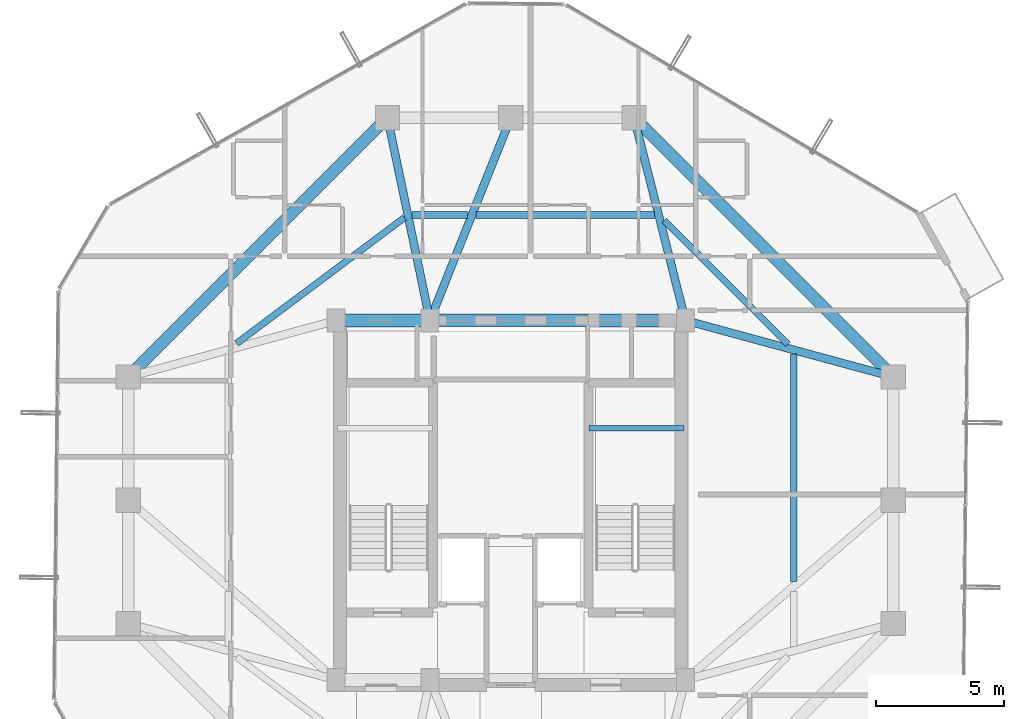
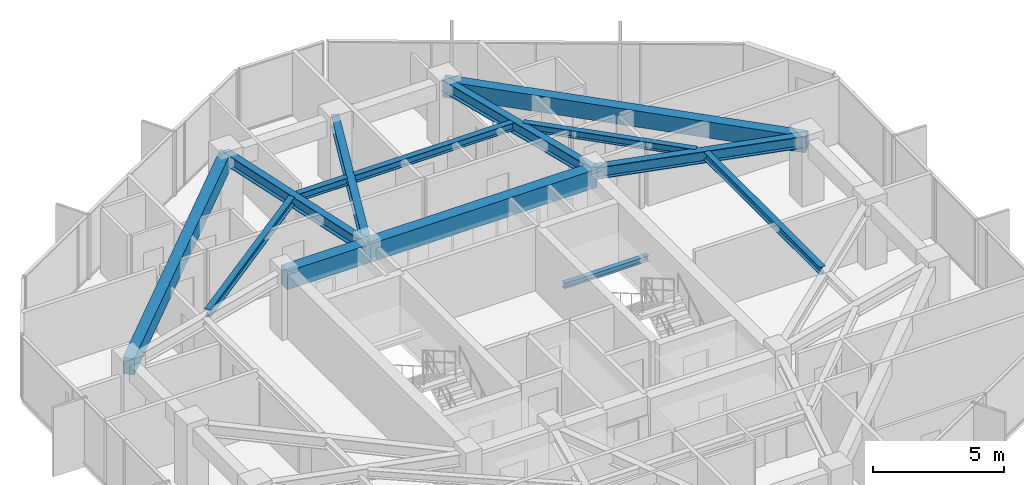
# One storey, part 15 of 30: 14 beams.
"""IFC4 building model written with IfcOpenShell, lengths in metres."""

from ifc_helpers import new_model, si_unit, direction, frame, origin, origin_2d, place, context, subcontext, project, spatial, rectangle, i_section, extrude, material, material_profile, profile_set, type_object, element, save


model = new_model("IFC4")

# Units and contexts
model_context = context("Model", 3, precision=1e-05, world=origin(), true_north=direction((0.0, 1.0)))
body_context = subcontext(model_context, "Body", "Model", "MODEL_VIEW")
ifc_project = project(units=[si_unit("LENGTHUNIT", "METRE"), si_unit("AREAUNIT", "SQUARE_METRE"), si_unit("VOLUMEUNIT", "CUBIC_METRE"), si_unit("PLANEANGLEUNIT", "RADIAN"), si_unit("MASSUNIT", "GRAM", prefix="KILO")], contexts=[model_context])

# Site, building, storey
site_placement = place(None, origin())
site = spatial("IfcSite", under=ifc_project, at=site_placement, CompositionType="ELEMENT")
building_placement = place(site_placement, origin())
building = spatial("IfcBuilding", under=site, at=building_placement, Name="Veraguas Prism Commons", CompositionType="ELEMENT")
storey_placement = place(building_placement, frame((0.0, 0.0, 208.10009765625)))
storey = spatial("IfcBuildingStorey", under=building, at=storey_placement, Name="L59", CompositionType="ELEMENT", Elevation=208.10009765625)

# Beams
ifc_material_1 = material(Name="Concrete C50/60", Category="concrete")
ifc_material_profile_1 = material_profile(ifc_material_1, rectangle(XDim=0.5, YDim=0.85009765625, at=origin_2d()), Name="RC500X850")
ifc_profile_set_1 = profile_set([ifc_material_profile_1], Name="Concrete C50/60")
beam_type_1 = type_object("IfcBeamType", Name="Core Coupling Beam RC 500x850", PredefinedType="BEAM", material=ifc_profile_set_1)
beam_1_placement = place(storey_placement, frame((17.199951171875, 31.0, 2.544921875), z_axis=(1.0, 0.0, 0.0), x_axis=(0.0, 1.0, 0.0)))
element("IfcBeam", 1, at=beam_1_placement, inside=storey, type_object=beam_type_1, Name="Core Coupling Beam L59-CRN1", PredefinedType="BEAM", context=body_context, shape_type="SweptSolid", body=[
    extrude(rectangle(XDim=0.5, YDim=0.85009765625, at=origin_2d()), origin(), (0.0, 0.0, 1.0), 3.650146484375),
])
beam_2_placement = place(storey_placement, frame((20.85009765625, 31.0, 2.544921875), z_axis=(1.0, 0.0, 0.0), x_axis=(0.0, 1.0, 0.0)))
element("IfcBeam", 2, at=beam_2_placement, inside=storey, type_object=beam_type_1, Name="Core Coupling Beam L59-CRN2", PredefinedType="BEAM", context=body_context, shape_type="SweptSolid", body=[
    extrude(rectangle(XDim=0.5, YDim=0.85009765625, at=origin_2d()), origin(), (0.0, 0.0, 1.0), 9.949951171875),
])
ifc_material_profile_2 = material_profile(ifc_material_1, rectangle(XDim=0.449951171875, YDim=0.75, at=origin_2d()), Name="RC450X750")
ifc_profile_set_2 = profile_set([ifc_material_profile_2], Name="Concrete C50/60")
beam_type_2 = type_object("IfcBeamType", Name="Perimeter Spandrel Upper RC 450x750", PredefinedType="SPANDREL", material=ifc_profile_set_2)
for number, where, z_axis, x_axis, name in (
    (3, (38.89990234375, 28.800048828125, 2.594970703125), (-0.707106781187, 0.707106781187, 0.0), (-0.707106781187, -0.707106781187, 0.0), "Perimeter Spandrel Beam L59-SP03"),
    (4, (19.199951171875, 38.89990234375, 2.594970703125), (-0.707106781187, -0.707106781187, 0.0), (0.707106781187, -0.707106781187, 0.0), "Perimeter Spandrel Beam L59-SP06"),
):
    element("IfcBeam", number, at=place(storey_placement, frame(where, z_axis=z_axis, x_axis=x_axis)), inside=storey, type_object=beam_type_2, Name=name, PredefinedType="SPANDREL", context=body_context, shape_type="SweptSolid", body=[
        extrude(rectangle(XDim=0.449951171875, YDim=0.75, at=origin_2d()), origin(), (0.0, 0.0, 1.0), 14.283447265625),
    ])
ifc_material_2 = material(Name="Steel ASTM A992 Grade 50", Category="steel")
ifc_material_profile_3 = material_profile(ifc_material_2, i_section(OverallWidth=0.202880859375, OverallDepth=0.251953125, WebThickness=0.008056640625, FlangeThickness=0.013427734375, at=origin_2d()), Name="W250X58")
ifc_profile_set_3 = profile_set([ifc_material_profile_3], Name="Steel ASTM A992 Grade 50")
beam_type_3 = type_object("IfcBeamType", Name="Structural Opening Lintel W250x58", PredefinedType="LINTEL", material=ifc_profile_set_3)
beam_3_placement = place(storey_placement, frame((27.050048828125, 26.800048828125, 1.298828125), z_axis=(1.0, 0.0, 0.0), x_axis=(0.0, 1.0, 0.0)))
element("IfcBeam", 5, at=beam_3_placement, inside=storey, type_object=beam_type_3, Name="Stair ST-02 Half-Landing Support Beam L59-1", PredefinedType="LINTEL", context=body_context, shape_type="SweptSolid", body=[
    extrude(i_section(OverallWidth=0.202880859375, OverallDepth=0.251953125, WebThickness=0.008056640625, FlangeThickness=0.013427734375, at=origin_2d()), origin(), (0.0, 0.0, 1.0), 3.699951171875),
])
ifc_material_profile_4 = material_profile(ifc_material_2, i_section(OverallWidth=0.25390625, OverallDepth=0.35302734375, WebThickness=0.009521484375, FlangeThickness=0.016357421875, at=origin_2d()), Name="W360X91")
ifc_profile_set_4 = profile_set([ifc_material_profile_4], Name="Steel ASTM A992 Grade 50")
beam_type_4 = type_object("IfcBeamType", Name="Upper Floor Joist W360x91", PredefinedType="JOIST", material=ifc_profile_set_4)
beam_4_placement = place(storey_placement, frame((35.011962890625, 20.843017578125, 2.79345703125), z_axis=(0.0, 1.0, 0.0), x_axis=(-1.0, 0.0, 0.0)))
element("IfcBeam", 6, at=beam_4_placement, inside=storey, type_object=beam_type_4, Name="Composite Floor Joist L59-JS02", PredefinedType="JOIST", context=body_context, shape_type="SweptSolid", body=[
    extrude(i_section(OverallWidth=0.25390625, OverallDepth=0.35302734375, WebThickness=0.009521484375, FlangeThickness=0.016357421875, at=origin_2d()), origin(), (0.0, 0.0, 1.0), 8.85400390625),
])
beam_5_placement = place(storey_placement, frame((34.793701171875, 30.074462890625, 2.79345703125), z_axis=(-0.707124682851, 0.707088879069, 0.0), x_axis=(-0.707088879069, -0.707124682851, 0.0)))
element("IfcBeam", 7, at=beam_5_placement, inside=storey, type_object=beam_type_4, Name="Composite Floor Joist L59-JS03", PredefinedType="JOIST", context=body_context, shape_type="SweptSolid", body=[
    extrude(i_section(OverallWidth=0.25390625, OverallDepth=0.35302734375, WebThickness=0.009521484375, FlangeThickness=0.016357421875, at=origin_2d()), origin(), (0.0, 0.0, 1.0), 6.81884765625),
])
beam_6_placement = place(storey_placement, frame((29.601806640625, 35.10791015625, 2.79345703125), z_axis=(-1.0, 0.0, 0.0), x_axis=(0.0, -1.0, 0.0)))
element("IfcBeam", 8, at=beam_6_placement, inside=storey, type_object=beam_type_4, Name="Composite Floor Joist L59-JS04", PredefinedType="JOIST", context=body_context, shape_type="SweptSolid", body=[
    extrude(i_section(OverallWidth=0.25390625, OverallDepth=0.35302734375, WebThickness=0.009521484375, FlangeThickness=0.016357421875, at=origin_2d()), origin(), (0.0, 0.0, 1.0), 6.948486328125),
])
beam_7_placement = place(storey_placement, frame((22.32275390625, 35.10791015625, 2.79345703125), z_axis=(-1.0, 0.0, 0.0), x_axis=(0.0, -1.0, 0.0)))
element("IfcBeam", 9, at=beam_7_placement, inside=storey, type_object=beam_type_4, Name="Composite Floor Joist L59-JS05", PredefinedType="JOIST", context=body_context, shape_type="SweptSolid", body=[
    extrude(i_section(OverallWidth=0.25390625, OverallDepth=0.35302734375, WebThickness=0.009521484375, FlangeThickness=0.016357421875, at=origin_2d()), origin(), (0.0, 0.0, 1.0), 2.174072265625),
])
beam_8_placement = place(storey_placement, frame((19.8564453125, 35.00634765625, 2.79345703125), z_axis=(-0.800060962004, -0.599918708724, 0.0), x_axis=(0.599918708724, -0.800060962004, 0.0)))
element("IfcBeam", 10, at=beam_8_placement, inside=storey, type_object=beam_type_4, Name="Composite Floor Joist L59-JS06", PredefinedType="JOIST", context=body_context, shape_type="SweptSolid", body=[
    extrude(i_section(OverallWidth=0.25390625, OverallDepth=0.35302734375, WebThickness=0.009521484375, FlangeThickness=0.016357421875, at=origin_2d()), origin(), (0.0, 0.0, 1.0), 8.169189453125),
])
ifc_material_profile_5 = material_profile(ifc_material_2, i_section(OverallWidth=0.31103515625, OverallDepth=0.5458984375, WebThickness=0.0146484375, FlangeThickness=0.023681640625, at=origin_2d()), Name="W530X165")
ifc_profile_set_5 = profile_set([ifc_material_profile_5], Name="Steel ASTM A992 Grade 50")
beam_type_5 = type_object("IfcBeamType", Name="Zone 3 Radial Girder W530x165", PredefinedType="BEAM", material=ifc_profile_set_5)
beam_9_placement = place(storey_placement, frame((38.89990234375, 28.800048828125, 2.697021484375), z_axis=(-0.965038506703, 0.262108146725, 0.0), x_axis=(-0.262108146725, -0.965038506703, 0.0)))
element("IfcBeam", 11, at=beam_9_placement, inside=storey, type_object=beam_type_5, Name="Radial Floor Girder L59-RD03", PredefinedType="BEAM", context=body_context, shape_type="SweptSolid", body=[
    extrude(i_section(OverallWidth=0.31103515625, OverallDepth=0.5458984375, WebThickness=0.0146484375, FlangeThickness=0.023681640625, at=origin_2d()), origin(), (0.0, 0.0, 1.0), 8.393310546875),
])
beam_10_placement = place(storey_placement, frame((28.800048828125, 38.89990234375, 2.697021484375), z_axis=(0.245424718066, -0.969415652732, 0.0), x_axis=(0.969415652732, 0.245424718066, 0.0)))
element("IfcBeam", 12, at=beam_10_placement, inside=storey, type_object=beam_type_5, Name="Radial Floor Girder L59-RD04", PredefinedType="BEAM", context=body_context, shape_type="SweptSolid", body=[
    extrude(i_section(OverallWidth=0.31103515625, OverallDepth=0.5458984375, WebThickness=0.0146484375, FlangeThickness=0.023681640625, at=origin_2d()), origin(), (0.0, 0.0, 1.0), 8.149169921875),
])
beam_11_placement = place(storey_placement, frame((24.0, 38.89990234375, 2.697021484375), z_axis=(-0.370370877803, -0.928883960931, 0.0), x_axis=(0.928883960931, -0.370370877803, 0.0)))
element("IfcBeam", 13, at=beam_11_placement, inside=storey, type_object=beam_type_5, Name="Radial Floor Girder L59-RD05", PredefinedType="BEAM", context=body_context, shape_type="SweptSolid", body=[
    extrude(i_section(OverallWidth=0.31103515625, OverallDepth=0.5458984375, WebThickness=0.0146484375, FlangeThickness=0.023681640625, at=origin_2d()), origin(), (0.0, 0.0, 1.0), 8.504638671875),
])
beam_12_placement = place(storey_placement, frame((19.199951171875, 38.89990234375, 2.697021484375), z_axis=(0.204468851168, -0.978873070884, 0.0), x_axis=(0.978873070884, 0.204468851168, 0.0)))
element("IfcBeam", 14, at=beam_12_placement, inside=storey, type_object=beam_type_5, Name="Radial Floor Girder L59-RD06", PredefinedType="BEAM", context=body_context, shape_type="SweptSolid", body=[
    extrude(i_section(OverallWidth=0.31103515625, OverallDepth=0.5458984375, WebThickness=0.0146484375, FlangeThickness=0.023681640625, at=origin_2d()), origin(), (0.0, 0.0, 1.0), 8.0703125),
])

save(model, "model.ifc")
